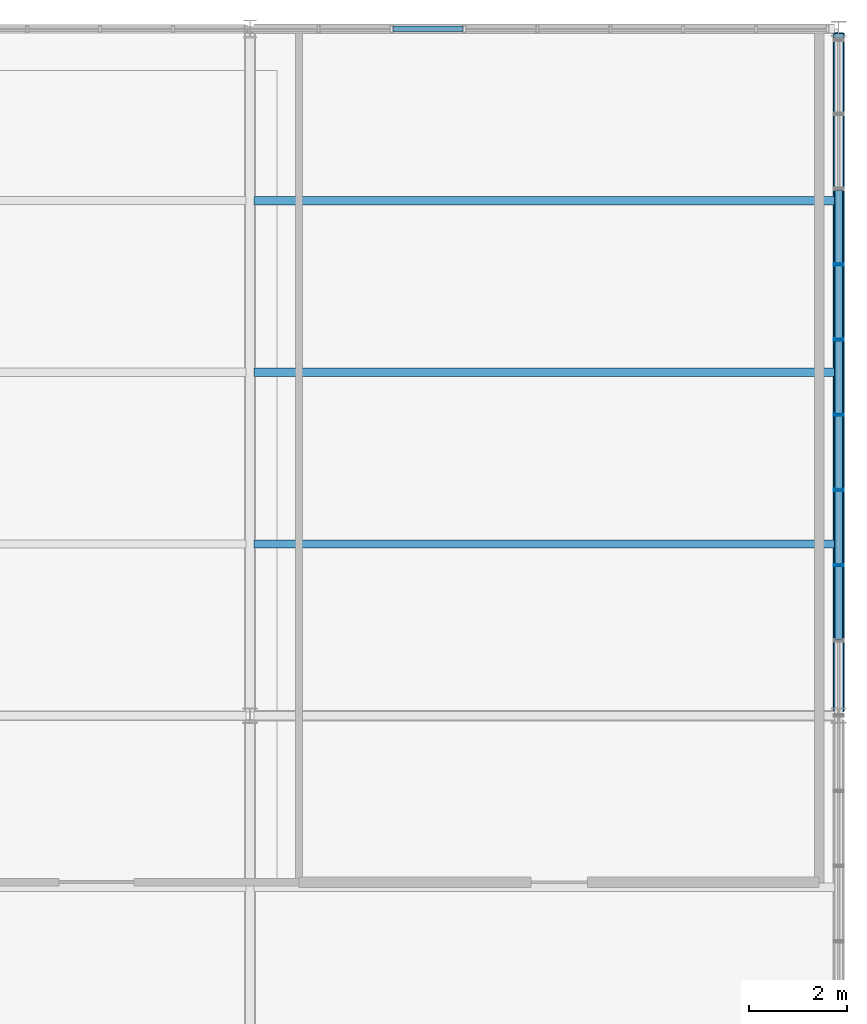
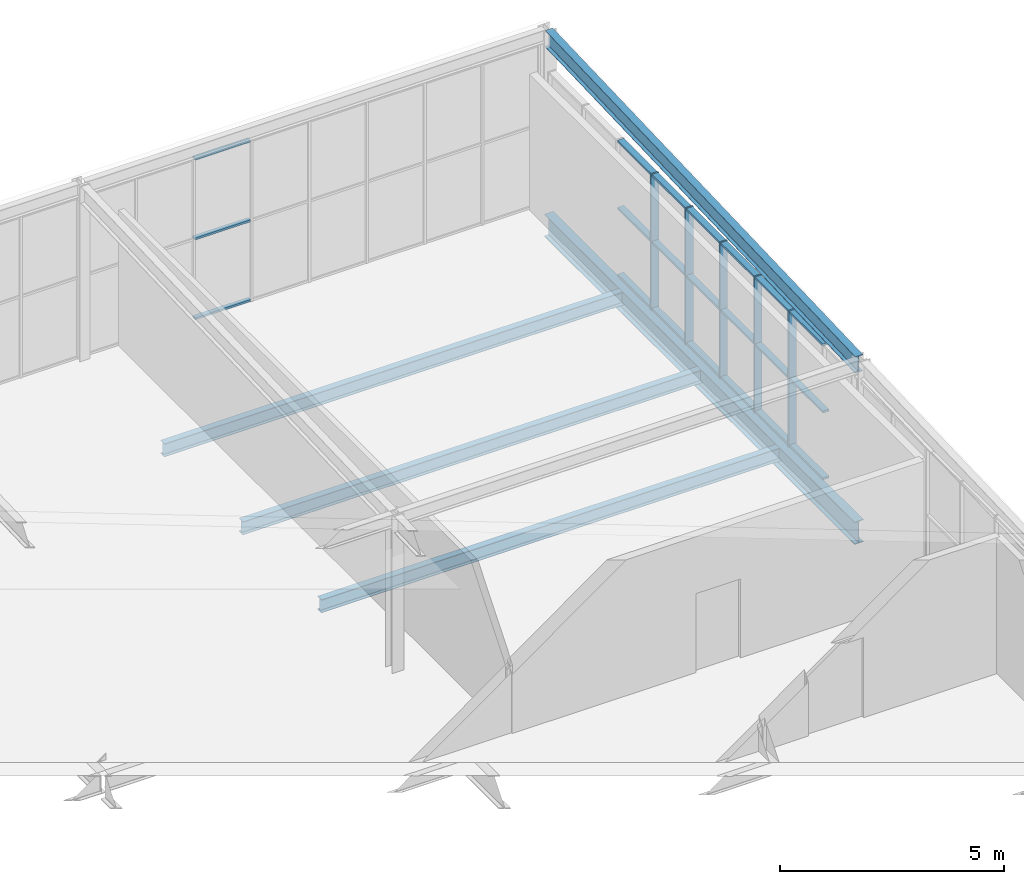
# One storey, part 21 of 27: 26 members, 5 beams, 2 elements without a shape of their own.
"""IFC4 building model written with IfcOpenShell, lengths in metres."""

from ifc_helpers import new_model, si_unit, direction, frame, origin, origin_2d, place, context, subcontext, project, spatial, hollow_rectangle, i_section, extrude, material, layer, layer_set, material_profile, profile_set, type_object, element, aggregate, save


model = new_model("IFC4")

# Units and contexts
model_context = context("Model", 3, precision=1e-05, world=origin(), true_north=direction((0.0, 1.0)))
body_context = subcontext(model_context, "Body", "Model", "MODEL_VIEW")
ifc_project = project(units=[si_unit("LENGTHUNIT", "METRE"), si_unit("AREAUNIT", "SQUARE_METRE"), si_unit("VOLUMEUNIT", "CUBIC_METRE"), si_unit("PLANEANGLEUNIT", "RADIAN"), si_unit("MASSUNIT", "GRAM", prefix="KILO")], contexts=[model_context])

# Site, building, storey
site_placement = place(None, origin())
site = spatial("IfcSite", under=ifc_project, at=site_placement, CompositionType="ELEMENT")
building_placement = place(site_placement, origin())
building = spatial("IfcBuilding", under=site, at=building_placement, Name="Solvenia Promenade Tram Depot", CompositionType="ELEMENT")
storey_placement = place(building_placement, frame((0.0, 0.0, 13.5)))
storey = spatial("IfcBuildingStorey", under=building, at=storey_placement, Name="L03", CompositionType="ELEMENT", Elevation=13.5)

# Beam
ifc_material_1 = material(Name="Structural steel ASTM A992 Gr. 50", Category="steel")
ifc_material_profile_1 = material_profile(ifc_material_1, i_section(OverallWidth=0.19091796875, OverallDepth=0.4599609375, WebThickness=0.010009765625, FlangeThickness=0.01611328125, FilletRadius=0.012939453125, at=origin_2d()), Name="W460x82", Category="steel")
ifc_profile_set_1 = profile_set([ifc_material_profile_1], Name="Structural steel ASTM A992 Gr. 50")
beam_type_1 = type_object("IfcBeamType", Name="Beam-W460x82", PredefinedType="BEAM", material=ifc_profile_set_1)
beam_1_placement = place(storey_placement, frame((162.0, 52.0849609375, 4.030029296875), z_axis=(0.0, 0.999347117137, 0.036129481992), x_axis=(-1.0, 0.0, 0.0)))
element("IfcBeam", 1, at=beam_1_placement, inside=storey, type_object=beam_type_1, Name="Control Hub Sloped Rafter BM-L03-0890", PredefinedType="BEAM", context=body_context, shape_type="SweptSolid", body=[
    extrude(i_section(OverallWidth=0.19091796875, OverallDepth=0.4599609375, WebThickness=0.010009765625, FlangeThickness=0.01611328125, FilletRadius=0.012939453125, at=origin_2d()), origin(), (0.0, 0.0, 1.0), 13.839111328125),
])

# Curtain wall, members
ifc_material_2 = material(Name="Anodized aluminium AW-6063 T6", Category="aluminium")
ifc_layer = layer(ifc_material_2, 0.199951171875, Name="Anodized aluminium AW-6063 T6", Category="aluminium")
ifc_layer_set = layer_set([ifc_layer], Name="Anodized aluminium AW-6063 T6")
curtain_wall_type = type_object("IfcCurtainWallType", Name="CW-OCC-1500", PredefinedType="NOTDEFINED", material=ifc_layer_set)
curtain_wall_1_placement = place(storey_placement, origin())
curtain_wall_1 = element("IfcCurtainWall", 2, at=curtain_wall_1_placement, inside=storey, type_object=curtain_wall_type, Name="Curtain Wall CW-L03-V2E", PredefinedType="NOTDEFINED")
ifc_material_profile_2 = material_profile(ifc_material_2, hollow_rectangle(XDim=0.199951171875, YDim=0.048095703125, WallThickness=0.00390625, at=origin_2d()), Name="ALU-M3", Category="aluminium")
ifc_profile_set_2 = profile_set([ifc_material_profile_2], Name="Anodized aluminium AW-6063 T6")
member_type_1 = type_object("IfcMemberType", Name="CWM-Mullion-3", PredefinedType="MULLION", material=ifc_profile_set_2)
member_1_placement = place(storey_placement, frame((162.0, 55.066650390625, 0.0), z_axis=(0.0, 0.0, 1.0), x_axis=(-1.0, 0.0, 0.0)))
member_1 = element("IfcMember", 3, at=member_1_placement, type_object=member_type_1, Name="CW-8 mullion 12", PredefinedType="MULLION", context=body_context, shape_type="SweptSolid", body=[
    extrude(hollow_rectangle(XDim=0.199951171875, YDim=0.048095703125, WallThickness=0.00390625, at=origin_2d()), origin(), (0.0, 0.0, 1.0), 3.699951171875),
])
member_2_placement = place(storey_placement, frame((162.0, 56.60009765625, 0.0), z_axis=(0.0, 0.0, 1.0), x_axis=(-1.0, 0.0, 0.0)))
member_2 = element("IfcMember", 4, at=member_2_placement, type_object=member_type_1, Name="CW-8 mullion 13", PredefinedType="MULLION", context=body_context, shape_type="SweptSolid", body=[
    extrude(hollow_rectangle(XDim=0.199951171875, YDim=0.048095703125, WallThickness=0.00390625, at=origin_2d()), origin(), (0.0, 0.0, 1.0), 3.699951171875),
])
member_3_placement = place(storey_placement, frame((162.0, 58.13330078125, 0.0), z_axis=(0.0, 0.0, 1.0), x_axis=(-1.0, 0.0, 0.0)))
member_3 = element("IfcMember", 5, at=member_3_placement, type_object=member_type_1, Name="CW-8 mullion 14", PredefinedType="MULLION", context=body_context, shape_type="SweptSolid", body=[
    extrude(hollow_rectangle(XDim=0.199951171875, YDim=0.048095703125, WallThickness=0.00390625, at=origin_2d()), origin(), (0.0, 0.0, 1.0), 3.699951171875),
])
member_4_placement = place(storey_placement, frame((162.0, 59.666748046875, 0.0), z_axis=(0.0, 0.0, 1.0), x_axis=(-1.0, 0.0, 0.0)))
member_4 = element("IfcMember", 6, at=member_4_placement, type_object=member_type_1, Name="CW-8 mullion 15", PredefinedType="MULLION", context=body_context, shape_type="SweptSolid", body=[
    extrude(hollow_rectangle(XDim=0.199951171875, YDim=0.048095703125, WallThickness=0.00390625, at=origin_2d()), origin(), (0.0, 0.0, 1.0), 3.699951171875),
])
member_5_placement = place(storey_placement, frame((162.0, 61.199951171875, 0.0), z_axis=(0.0, 0.0, 1.0), x_axis=(-1.0, 0.0, 0.0)))
member_5 = element("IfcMember", 7, at=member_5_placement, type_object=member_type_1, Name="CW-8 mullion 16", PredefinedType="MULLION", context=body_context, shape_type="SweptSolid", body=[
    extrude(hollow_rectangle(XDim=0.199951171875, YDim=0.048095703125, WallThickness=0.00390625, at=origin_2d()), origin(), (0.0, 0.0, 1.0), 3.699951171875),
])
ifc_material_profile_3 = material_profile(ifc_material_2, hollow_rectangle(XDim=0.159912109375, YDim=0.05810546875, WallThickness=0.00390625, at=origin_2d()), Name="ALU-T3", Category="aluminium")
ifc_profile_set_3 = profile_set([ifc_material_profile_3], Name="Anodized aluminium AW-6063 T6")
member_type_2 = type_object("IfcMemberType", Name="CWT-Transom-3", PredefinedType="USERDEFINED", material=ifc_profile_set_3)
member_6_placement = place(storey_placement, frame((162.0, 53.557373046875, 0.029052734375), z_axis=(0.0, 1.0, 0.0), x_axis=(-1.0, 0.0, 0.0)))
member_6 = element("IfcMember", 8, at=member_6_placement, type_object=member_type_2, Name="CW-8 transom 11.1", ObjectType="TRANSOM", PredefinedType="USERDEFINED", context=body_context, shape_type="SweptSolid", body=[
    extrude(hollow_rectangle(XDim=0.159912109375, YDim=0.05810546875, WallThickness=0.00390625, at=origin_2d()), origin(), (0.0, 0.0, 1.0), 1.4853515625),
])
member_7_placement = place(storey_placement, frame((162.0, 53.557373046875, 1.85009765625), z_axis=(0.0, 1.0, 0.0), x_axis=(-1.0, 0.0, 0.0)))
member_7 = element("IfcMember", 9, at=member_7_placement, type_object=member_type_2, Name="CW-8 transom 11.2", ObjectType="TRANSOM", PredefinedType="USERDEFINED", context=body_context, shape_type="SweptSolid", body=[
    extrude(hollow_rectangle(XDim=0.159912109375, YDim=0.05810546875, WallThickness=0.00390625, at=origin_2d()), origin(), (0.0, 0.0, 1.0), 1.4853515625),
])
member_8_placement = place(storey_placement, frame((162.0, 53.557373046875, 3.6708984375), z_axis=(0.0, 1.0, 0.0), x_axis=(-1.0, 0.0, 0.0)))
member_8 = element("IfcMember", 10, at=member_8_placement, type_object=member_type_2, Name="CW-8 transom 11.3", ObjectType="TRANSOM", PredefinedType="USERDEFINED", context=body_context, shape_type="SweptSolid", body=[
    extrude(hollow_rectangle(XDim=0.159912109375, YDim=0.05810546875, WallThickness=0.00390625, at=origin_2d()), origin(), (0.0, 0.0, 1.0), 1.4853515625),
])
member_9_placement = place(storey_placement, frame((162.0, 55.090576171875, 0.029052734375), z_axis=(0.0, 1.0, 0.0), x_axis=(-1.0, 0.0, 0.0)))
member_9 = element("IfcMember", 11, at=member_9_placement, type_object=member_type_2, Name="CW-8 transom 12.1", ObjectType="TRANSOM", PredefinedType="USERDEFINED", context=body_context, shape_type="SweptSolid", body=[
    extrude(hollow_rectangle(XDim=0.159912109375, YDim=0.05810546875, WallThickness=0.00390625, at=origin_2d()), origin(), (0.0, 0.0, 1.0), 1.4853515625),
])
member_10_placement = place(storey_placement, frame((162.0, 55.090576171875, 1.85009765625), z_axis=(0.0, 1.0, 0.0), x_axis=(-1.0, 0.0, 0.0)))
member_10 = element("IfcMember", 12, at=member_10_placement, type_object=member_type_2, Name="CW-8 transom 12.2", ObjectType="TRANSOM", PredefinedType="USERDEFINED", context=body_context, shape_type="SweptSolid", body=[
    extrude(hollow_rectangle(XDim=0.159912109375, YDim=0.05810546875, WallThickness=0.00390625, at=origin_2d()), origin(), (0.0, 0.0, 1.0), 1.4853515625),
])
member_11_placement = place(storey_placement, frame((162.0, 55.090576171875, 3.6708984375), z_axis=(0.0, 1.0, 0.0), x_axis=(-1.0, 0.0, 0.0)))
member_11 = element("IfcMember", 13, at=member_11_placement, type_object=member_type_2, Name="CW-8 transom 12.3", ObjectType="TRANSOM", PredefinedType="USERDEFINED", context=body_context, shape_type="SweptSolid", body=[
    extrude(hollow_rectangle(XDim=0.159912109375, YDim=0.05810546875, WallThickness=0.00390625, at=origin_2d()), origin(), (0.0, 0.0, 1.0), 1.4853515625),
])
member_12_placement = place(storey_placement, frame((162.0, 56.6240234375, 0.029052734375), z_axis=(0.0, 1.0, 0.0), x_axis=(-1.0, 0.0, 0.0)))
member_12 = element("IfcMember", 14, at=member_12_placement, type_object=member_type_2, Name="CW-8 transom 13.1", ObjectType="TRANSOM", PredefinedType="USERDEFINED", context=body_context, shape_type="SweptSolid", body=[
    extrude(hollow_rectangle(XDim=0.159912109375, YDim=0.05810546875, WallThickness=0.00390625, at=origin_2d()), origin(), (0.0, 0.0, 1.0), 1.4853515625),
])
member_13_placement = place(storey_placement, frame((162.0, 56.6240234375, 1.85009765625), z_axis=(0.0, 1.0, 0.0), x_axis=(-1.0, 0.0, 0.0)))
member_13 = element("IfcMember", 15, at=member_13_placement, type_object=member_type_2, Name="CW-8 transom 13.2", ObjectType="TRANSOM", PredefinedType="USERDEFINED", context=body_context, shape_type="SweptSolid", body=[
    extrude(hollow_rectangle(XDim=0.159912109375, YDim=0.05810546875, WallThickness=0.00390625, at=origin_2d()), origin(), (0.0, 0.0, 1.0), 1.4853515625),
])
member_14_placement = place(storey_placement, frame((162.0, 56.6240234375, 3.6708984375), z_axis=(0.0, 1.0, 0.0), x_axis=(-1.0, 0.0, 0.0)))
member_14 = element("IfcMember", 16, at=member_14_placement, type_object=member_type_2, Name="CW-8 transom 13.3", ObjectType="TRANSOM", PredefinedType="USERDEFINED", context=body_context, shape_type="SweptSolid", body=[
    extrude(hollow_rectangle(XDim=0.159912109375, YDim=0.05810546875, WallThickness=0.00390625, at=origin_2d()), origin(), (0.0, 0.0, 1.0), 1.4853515625),
])
member_15_placement = place(storey_placement, frame((162.0, 58.1572265625, 0.029052734375), z_axis=(0.0, 1.0, 0.0), x_axis=(-1.0, 0.0, 0.0)))
member_15 = element("IfcMember", 17, at=member_15_placement, type_object=member_type_2, Name="CW-8 transom 14.1", ObjectType="TRANSOM", PredefinedType="USERDEFINED", context=body_context, shape_type="SweptSolid", body=[
    extrude(hollow_rectangle(XDim=0.159912109375, YDim=0.05810546875, WallThickness=0.00390625, at=origin_2d()), origin(), (0.0, 0.0, 1.0), 1.4853515625),
])
member_16_placement = place(storey_placement, frame((162.0, 58.1572265625, 1.85009765625), z_axis=(0.0, 1.0, 0.0), x_axis=(-1.0, 0.0, 0.0)))
member_16 = element("IfcMember", 18, at=member_16_placement, type_object=member_type_2, Name="CW-8 transom 14.2", ObjectType="TRANSOM", PredefinedType="USERDEFINED", context=body_context, shape_type="SweptSolid", body=[
    extrude(hollow_rectangle(XDim=0.159912109375, YDim=0.05810546875, WallThickness=0.00390625, at=origin_2d()), origin(), (0.0, 0.0, 1.0), 1.4853515625),
])
member_17_placement = place(storey_placement, frame((162.0, 58.1572265625, 3.6708984375), z_axis=(0.0, 1.0, 0.0), x_axis=(-1.0, 0.0, 0.0)))
member_17 = element("IfcMember", 19, at=member_17_placement, type_object=member_type_2, Name="CW-8 transom 14.3", ObjectType="TRANSOM", PredefinedType="USERDEFINED", context=body_context, shape_type="SweptSolid", body=[
    extrude(hollow_rectangle(XDim=0.159912109375, YDim=0.05810546875, WallThickness=0.00390625, at=origin_2d()), origin(), (0.0, 0.0, 1.0), 1.4853515625),
])
member_18_placement = place(storey_placement, frame((162.0, 59.690673828125, 0.029052734375), z_axis=(0.0, 1.0, 0.0), x_axis=(-1.0, 0.0, 0.0)))
member_18 = element("IfcMember", 20, at=member_18_placement, type_object=member_type_2, Name="CW-8 transom 15.1", ObjectType="TRANSOM", PredefinedType="USERDEFINED", context=body_context, shape_type="SweptSolid", body=[
    extrude(hollow_rectangle(XDim=0.159912109375, YDim=0.05810546875, WallThickness=0.00390625, at=origin_2d()), origin(), (0.0, 0.0, 1.0), 1.4853515625),
])
member_19_placement = place(storey_placement, frame((162.0, 59.690673828125, 1.85009765625), z_axis=(0.0, 1.0, 0.0), x_axis=(-1.0, 0.0, 0.0)))
member_19 = element("IfcMember", 21, at=member_19_placement, type_object=member_type_2, Name="CW-8 transom 15.2", ObjectType="TRANSOM", PredefinedType="USERDEFINED", context=body_context, shape_type="SweptSolid", body=[
    extrude(hollow_rectangle(XDim=0.159912109375, YDim=0.05810546875, WallThickness=0.00390625, at=origin_2d()), origin(), (0.0, 0.0, 1.0), 1.4853515625),
])
member_20_placement = place(storey_placement, frame((162.0, 59.690673828125, 3.6708984375), z_axis=(0.0, 1.0, 0.0), x_axis=(-1.0, 0.0, 0.0)))
member_20 = element("IfcMember", 22, at=member_20_placement, type_object=member_type_2, Name="CW-8 transom 15.3", ObjectType="TRANSOM", PredefinedType="USERDEFINED", context=body_context, shape_type="SweptSolid", body=[
    extrude(hollow_rectangle(XDim=0.159912109375, YDim=0.05810546875, WallThickness=0.00390625, at=origin_2d()), origin(), (0.0, 0.0, 1.0), 1.4853515625),
])
member_21_placement = place(storey_placement, frame((162.0, 61.22412109375, 0.029052734375), z_axis=(0.0, 1.0, 0.0), x_axis=(-1.0, 0.0, 0.0)))
member_21 = element("IfcMember", 23, at=member_21_placement, type_object=member_type_2, Name="CW-8 transom 16.1", ObjectType="TRANSOM", PredefinedType="USERDEFINED", context=body_context, shape_type="SweptSolid", body=[
    extrude(hollow_rectangle(XDim=0.159912109375, YDim=0.05810546875, WallThickness=0.00390625, at=origin_2d()), origin(), (0.0, 0.0, 1.0), 1.485107421875),
])
member_22_placement = place(storey_placement, frame((162.0, 61.22412109375, 1.85009765625), z_axis=(0.0, 1.0, 0.0), x_axis=(-1.0, 0.0, 0.0)))
member_22 = element("IfcMember", 24, at=member_22_placement, type_object=member_type_2, Name="CW-8 transom 16.2", ObjectType="TRANSOM", PredefinedType="USERDEFINED", context=body_context, shape_type="SweptSolid", body=[
    extrude(hollow_rectangle(XDim=0.159912109375, YDim=0.05810546875, WallThickness=0.00390625, at=origin_2d()), origin(), (0.0, 0.0, 1.0), 1.485107421875),
])
member_23_placement = place(storey_placement, frame((162.0, 61.22412109375, 3.6708984375), z_axis=(0.0, 1.0, 0.0), x_axis=(-1.0, 0.0, 0.0)))
member_23 = element("IfcMember", 25, at=member_23_placement, type_object=member_type_2, Name="CW-8 transom 16.3", ObjectType="TRANSOM", PredefinedType="USERDEFINED", context=body_context, shape_type="SweptSolid", body=[
    extrude(hollow_rectangle(XDim=0.159912109375, YDim=0.05810546875, WallThickness=0.00390625, at=origin_2d()), origin(), (0.0, 0.0, 1.0), 1.485107421875),
])
aggregate(curtain_wall_1, [member_1, member_2, member_3, member_4, member_5, member_6, member_7, member_8, member_9, member_10, member_11, member_12, member_13, member_14, member_15, member_16, member_17, member_18, member_19, member_20, member_21, member_22, member_23])

curtain_wall_2_placement = place(storey_placement, origin())
curtain_wall_2 = element("IfcCurtainWall", 26, at=curtain_wall_2_placement, inside=storey, type_object=curtain_wall_type, Name="Curtain Wall CW-L03-V2N", PredefinedType="NOTDEFINED")
ifc_material_profile_4 = material_profile(ifc_material_2, hollow_rectangle(XDim=0.110107421875, YDim=0.054931640625, WallThickness=0.00390625, at=origin_2d()), Name="ALU-T4", Category="aluminium")
ifc_profile_set_4 = profile_set([ifc_material_profile_4], Name="Anodized aluminium AW-6063 T6")
member_type_3 = type_object("IfcMemberType", Name="CWT-Transom-4", PredefinedType="USERDEFINED", material=ifc_profile_set_4)
member_24_placement = place(storey_placement, frame((152.913330078125, 66.0, 0.027587890625), z_axis=(1.0, 0.0, 0.0), x_axis=(0.0, 1.0, 0.0)))
member_24 = element("IfcMember", 27, at=member_24_placement, type_object=member_type_3, Name="CW-8 transom 23.1", ObjectType="TRANSOM", PredefinedType="USERDEFINED", context=body_context, shape_type="SweptSolid", body=[
    extrude(hollow_rectangle(XDim=0.110107421875, YDim=0.054931640625, WallThickness=0.00390625, at=origin_2d()), origin(), (0.0, 0.0, 1.0), 1.4306640625),
])
member_25_placement = place(storey_placement, frame((152.913330078125, 66.0, 2.199951171875), z_axis=(1.0, 0.0, 0.0), x_axis=(0.0, 1.0, 0.0)))
member_25 = element("IfcMember", 28, at=member_25_placement, type_object=member_type_3, Name="CW-8 transom 23.2", ObjectType="TRANSOM", PredefinedType="USERDEFINED", context=body_context, shape_type="SweptSolid", body=[
    extrude(hollow_rectangle(XDim=0.110107421875, YDim=0.054931640625, WallThickness=0.00390625, at=origin_2d()), origin(), (0.0, 0.0, 1.0), 1.4306640625),
])
member_26_placement = place(storey_placement, frame((152.913330078125, 66.0, 4.37255859375), z_axis=(1.0, 0.0, 0.0), x_axis=(0.0, 1.0, 0.0)))
member_26 = element("IfcMember", 29, at=member_26_placement, type_object=member_type_3, Name="CW-8 transom 23.3", ObjectType="TRANSOM", PredefinedType="USERDEFINED", context=body_context, shape_type="SweptSolid", body=[
    extrude(hollow_rectangle(XDim=0.110107421875, YDim=0.054931640625, WallThickness=0.00390625, at=origin_2d()), origin(), (0.0, 0.0, 1.0), 1.4306640625),
])
aggregate(curtain_wall_2, [member_24, member_25, member_26])

# Beams
ifc_material_profile_5 = material_profile(ifc_material_1, i_section(OverallWidth=0.22900390625, OverallDepth=0.612060546875, WebThickness=0.011962890625, FlangeThickness=0.01953125, FilletRadius=0.014892578125, at=origin_2d()), Name="W610x125", Category="steel")
ifc_profile_set_5 = profile_set([ifc_material_profile_5], Name="Structural steel ASTM A992 Gr. 50")
beam_type_2 = type_object("IfcBeamType", Name="Gird-W610x125", PredefinedType="BEAM", material=ifc_profile_set_5)
beam_2_placement = place(storey_placement, frame((162.0, 52.0849609375, -0.5458984375), z_axis=(0.0, 1.0, 0.0), x_axis=(-1.0, 0.0, 0.0)))
element("IfcBeam", 30, at=beam_2_placement, inside=storey, type_object=beam_type_2, Name="Transverse Girder BM-L03-0621", PredefinedType="BEAM", context=body_context, shape_type="SweptSolid", body=[
    extrude(i_section(OverallWidth=0.22900390625, OverallDepth=0.612060546875, WebThickness=0.011962890625, FlangeThickness=0.01953125, FilletRadius=0.014892578125, at=origin_2d()), origin(), (0.0, 0.0, 1.0), 13.830078125),
])
ifc_material_profile_6 = material_profile(ifc_material_1, i_section(OverallWidth=0.172119140625, OverallDepth=0.35791015625, WebThickness=0.0078125, FlangeThickness=0.01318359375, FilletRadius=0.010986328125, at=origin_2d()), Name="W360x57", Category="steel")
ifc_profile_set_6 = profile_set([ifc_material_profile_6], Name="Structural steel ASTM A992 Gr. 50")
beam_type_3 = type_object("IfcBeamType", Name="Joist-W360x57", PredefinedType="JOIST", material=ifc_profile_set_6)
for number, where, z_axis, x_axis, name in (
    (31, (150.0849609375, 55.5, -0.4189453125), (1.0, 0.0, 0.0), (0.0, 1.0, 0.0), "Secondary Floor Joist BM-L03-0647"),
    (32, (150.0849609375, 59.0, -0.4189453125), (1.0, 0.0, 0.0), (0.0, 1.0, 0.0), "Secondary Floor Joist BM-L03-0648"),
    (33, (150.0849609375, 62.5, -0.4189453125), (1.0, 0.0, 0.0), (0.0, 1.0, 0.0), "Secondary Floor Joist BM-L03-0649"),
):
    element("IfcBeam", number, at=place(storey_placement, frame(where, z_axis=z_axis, x_axis=x_axis)), inside=storey, type_object=beam_type_3, Name=name, PredefinedType="JOIST", context=body_context, shape_type="SweptSolid", body=[
        extrude(i_section(OverallWidth=0.172119140625, OverallDepth=0.35791015625, WebThickness=0.0078125, FlangeThickness=0.01318359375, FilletRadius=0.010986328125, at=origin_2d()), origin(), (0.0, 0.0, 1.0), 11.830078125),
    ])

save(model, "model.ifc")
